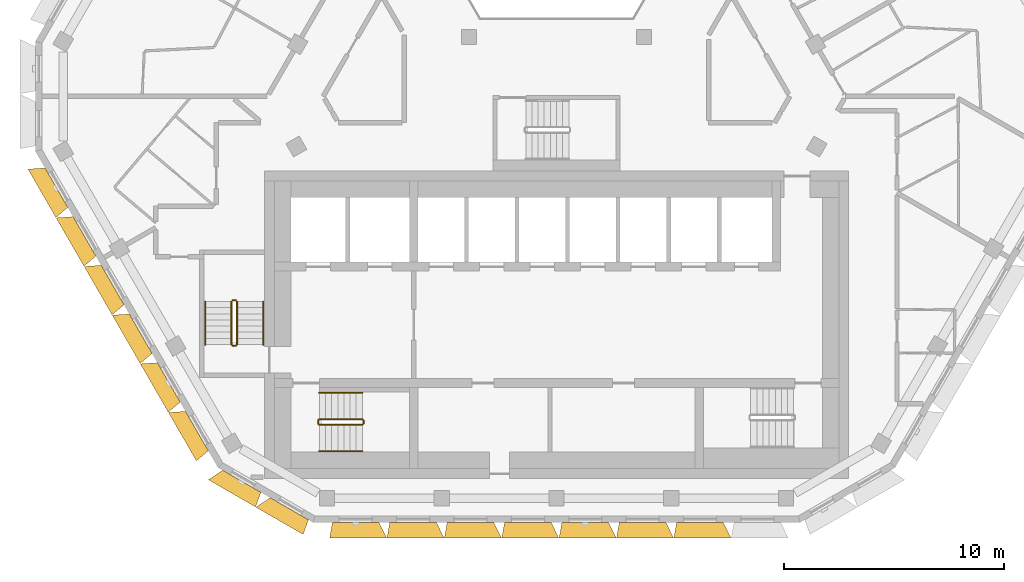
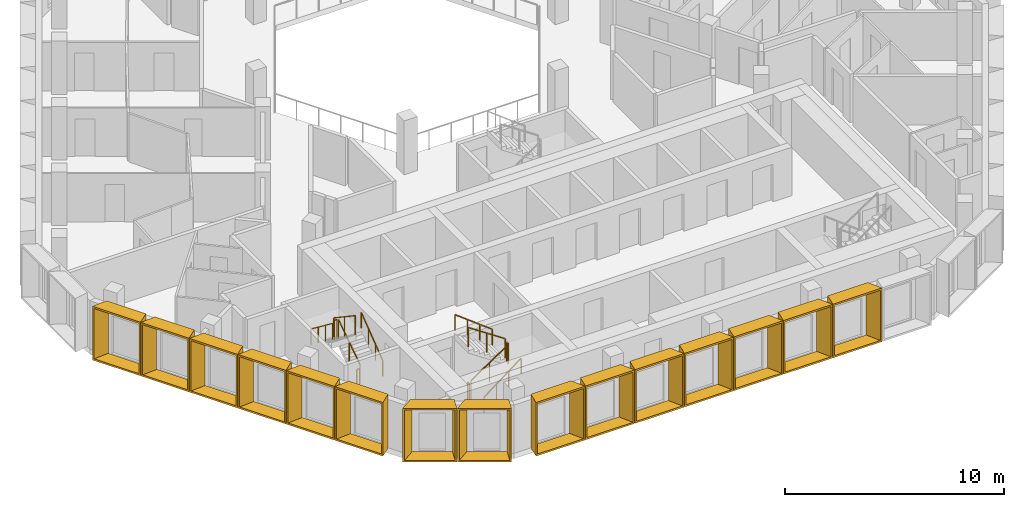
# One storey, part 12 of 16: 15 shading devices, 12 railings.
"""IFC4 building model written with IfcOpenShell, lengths in metres."""

from ifc_helpers import new_model, entity, si_unit, direction, frame, origin, origin_2d, place, context, subcontext, project, spatial, rectangle, extrude, source, transform, mapped, material, type_object, type_shapes, element, save


model = new_model("IFC4")

# Units and contexts
model_context = context("Model", 3, precision=1e-05, world=origin(), true_north=direction((0.0, 1.0)))
body_context = subcontext(model_context, "Body", "Model", "MODEL_VIEW")
ifc_project = project(units=[si_unit("LENGTHUNIT", "METRE"), si_unit("AREAUNIT", "SQUARE_METRE"), si_unit("VOLUMEUNIT", "CUBIC_METRE"), si_unit("PLANEANGLEUNIT", "RADIAN"), si_unit("MASSUNIT", "GRAM", prefix="KILO")], contexts=[model_context])

# Site, building, storey
site_placement = place(None, origin())
site = spatial("IfcSite", under=ifc_project, at=site_placement, CompositionType="ELEMENT")
building_placement = place(site_placement, origin())
building = spatial("IfcBuilding", under=site, at=building_placement, Name="Beryl Residences", CompositionType="ELEMENT")
storey_placement = place(building_placement, frame((0.0, 0.0, 238.800048828125)))
storey = spatial("IfcBuildingStorey", under=building, at=storey_placement, Name="L74", CompositionType="ELEMENT", Elevation=238.800048828125)

# Shading devices
ifc_material_1 = material(Name="Aluminium pale anodised", Category="aluminium")
shading_device_type_1 = type_object("IfcShadingDeviceType", Name="FR250-70B OUTER SKIN frame 700 mm deep, splay 26/10 deg, 2500 x 3000 mm cell", PredefinedType="USERDEFINED", material=ifc_material_1)
cartesian_point_1 = entity("IfcCartesianPoint", [-1.007568359375, 0.0])
cartesian_point_2 = entity("IfcCartesianPoint", [-0.91845703125, 0.10009765625])
cartesian_point_3 = entity("IfcCartesianPoint", [-1.348876953125, 0.0])
cartesian_point_4 = entity("IfcCartesianPoint", [-1.260009765625, 0.10009765625])
shared_shape_1 = source(origin(), body_context, "Body", "SweptSolid", [
    entity("IfcExtrudedAreaSolidTapered", entity("IfcArbitraryProfileDefWithVoids", "AREA", None, entity("IfcPolyline", [cartesian_point_1, entity("IfcCartesianPoint", [1.007568359375, 0.0]), entity("IfcCartesianPoint", [1.007568359375, 3.0]), entity("IfcCartesianPoint", [-1.007568359375, 3.0]), cartesian_point_1]), [entity("IfcPolyline", [cartesian_point_2, entity("IfcCartesianPoint", [0.92626953125, 0.10009765625]), entity("IfcCartesianPoint", [0.92626953125, 2.89990234375]), entity("IfcCartesianPoint", [-0.91845703125, 2.89990234375]), cartesian_point_2])]), entity("IfcAxis2Placement3D", entity("IfcCartesianPoint", [0.0, 0.0, 0.0]), entity("IfcDirection", [0.0, 1.0, 0.0]), entity("IfcDirection", [-1.0, 0.0, 0.0])), entity("IfcDirection", [0.0, 0.0, 1.0]), 0.699951171875, entity("IfcArbitraryProfileDefWithVoids", "AREA", None, entity("IfcPolyline", [cartesian_point_3, entity("IfcCartesianPoint", [1.130859375, 0.0]), entity("IfcCartesianPoint", [1.130859375, 3.0]), entity("IfcCartesianPoint", [-1.348876953125, 3.0]), cartesian_point_3]), [entity("IfcPolyline", [cartesian_point_4, entity("IfcCartesianPoint", [1.0498046875, 0.10009765625]), entity("IfcCartesianPoint", [1.0498046875, 2.89990234375]), entity("IfcCartesianPoint", [-1.260009765625, 2.89990234375]), cartesian_point_4])])),
])
type_shapes(shading_device_type_1, [shared_shape_1])
for number, where, z_axis, x_axis, name in (
    (1, (-14.33203125, -19.125, 0.0), (0.0, 0.0, 1.0), (-0.866025403784, 0.5, 0.0), "FR250-70B frame L74 SW-S 1"),
    (2, (-12.16796875, -20.375, 0.0), (0.0, 0.0, 1.0), (-0.866025403784, 0.5, 0.0), "FR250-70B frame L74 SW-S 2"),
):
    element("IfcShadingDevice", number, at=place(storey_placement, frame(where, z_axis=z_axis, x_axis=x_axis)), inside=storey, type_object=shading_device_type_1, Name=name, ObjectType="OUTER SKIN", PredefinedType="USERDEFINED", context=body_context, shape_type="MappedRepresentation", body=[
        mapped(shared_shape_1, transform((0.0, 0.0, 0.0))),
    ])
ifc_material_2 = material(Name="Aluminium pale anodised", Category="aluminium")
shading_device_type_2 = type_object("IfcShadingDeviceType", Name="FR256-70B OUTER SKIN frame 700 mm deep, splay 26/10 deg, 2560 x 3000 mm cell", PredefinedType="USERDEFINED", material=ifc_material_2)
cartesian_point_5 = entity("IfcCartesianPoint", [-1.03759765625, 0.0])
cartesian_point_6 = entity("IfcCartesianPoint", [-0.948486328125, 0.10009765625])
cartesian_point_7 = entity("IfcCartesianPoint", [-1.37890625, 0.0])
cartesian_point_8 = entity("IfcCartesianPoint", [-1.289794921875, 0.10009765625])
shared_shape_2 = source(origin(), body_context, "Body", "SweptSolid", [
    entity("IfcExtrudedAreaSolidTapered", entity("IfcArbitraryProfileDefWithVoids", "AREA", None, entity("IfcPolyline", [cartesian_point_5, entity("IfcCartesianPoint", [1.03759765625, 0.0]), entity("IfcCartesianPoint", [1.03759765625, 3.0]), entity("IfcCartesianPoint", [-1.03759765625, 3.0]), cartesian_point_5]), [entity("IfcPolyline", [cartesian_point_6, entity("IfcCartesianPoint", [0.956298828125, 0.10009765625]), entity("IfcCartesianPoint", [0.956298828125, 2.89990234375]), entity("IfcCartesianPoint", [-0.948486328125, 2.89990234375]), cartesian_point_6])]), entity("IfcAxis2Placement3D", entity("IfcCartesianPoint", [0.0, 0.0, 0.0]), entity("IfcDirection", [0.0, 1.0, 0.0]), entity("IfcDirection", [-1.0, 0.0, 0.0])), entity("IfcDirection", [0.0, 0.0, 1.0]), 0.699951171875, entity("IfcArbitraryProfileDefWithVoids", "AREA", None, entity("IfcPolyline", [cartesian_point_7, entity("IfcCartesianPoint", [1.160888671875, 0.0]), entity("IfcCartesianPoint", [1.160888671875, 3.0]), entity("IfcCartesianPoint", [-1.37890625, 3.0]), cartesian_point_7]), [entity("IfcPolyline", [cartesian_point_8, entity("IfcCartesianPoint", [1.07958984375, 0.10009765625]), entity("IfcCartesianPoint", [1.07958984375, 2.89990234375]), entity("IfcCartesianPoint", [-1.289794921875, 2.89990234375]), cartesian_point_8])])),
])
type_shapes(shading_device_type_2, [shared_shape_2])
for number, where, z_axis, x_axis, name in (
    (3, (-22.77099609375, -5.758056640625, 0.0), (0.0, 0.0, 1.0), (-0.5, 0.866025403784, 0.0), "FR256-70B frame L74 SW 1"),
    (4, (-21.491943359375, -7.97509765625, 0.0), (0.0, 0.0, 1.0), (-0.5, 0.866025403784, 0.0), "FR256-70B frame L74 SW 2"),
    (5, (-20.2119140625, -10.19091796875, 0.0), (0.0, 0.0, 1.0), (-0.5, 0.866025403784, 0.0), "FR256-70B frame L74 SW 3"),
    (6, (-18.931884765625, -12.407958984375, 0.0), (0.0, 0.0, 1.0), (-0.5, 0.866025403784, 0.0), "FR256-70B frame L74 SW 4"),
    (7, (-17.653076171875, -14.6240234375, 0.0), (0.0, 0.0, 1.0), (-0.5, 0.866025403784, 0.0), "FR256-70B frame L74 SW 5"),
    (8, (-16.373046875, -16.841064453125, 0.0), (0.0, 0.0, 1.0), (-0.5, 0.866025403784, 0.0), "FR256-70B frame L74 SW 6"),
):
    element("IfcShadingDevice", number, at=place(storey_placement, frame(where, z_axis=z_axis, x_axis=x_axis)), inside=storey, type_object=shading_device_type_2, Name=name, ObjectType="OUTER SKIN", PredefinedType="USERDEFINED", context=body_context, shape_type="MappedRepresentation", body=[
        mapped(shared_shape_2, transform((0.0, 0.0, 0.0))),
    ])
ifc_material_3 = material(Name="Aluminium pale anodised", Category="aluminium")
shading_device_type_3 = type_object("IfcShadingDeviceType", Name="FR261-70C OUTER SKIN frame 700 mm deep, splay 10/26 deg, 2610 x 3000 mm cell", PredefinedType="USERDEFINED", material=ifc_material_3)
cartesian_point_9 = entity("IfcCartesianPoint", [-1.0625, 0.0])
cartesian_point_10 = entity("IfcCartesianPoint", [-0.981201171875, 0.10009765625])
cartesian_point_11 = entity("IfcCartesianPoint", [-1.18603515625, 0.0])
cartesian_point_12 = entity("IfcCartesianPoint", [-1.104736328125, 0.10009765625])
shared_shape_3 = source(origin(), body_context, "Body", "SweptSolid", [
    entity("IfcExtrudedAreaSolidTapered", entity("IfcArbitraryProfileDefWithVoids", "AREA", None, entity("IfcPolyline", [cartesian_point_9, entity("IfcCartesianPoint", [1.0625, 0.0]), entity("IfcCartesianPoint", [1.0625, 3.0]), entity("IfcCartesianPoint", [-1.0625, 3.0]), cartesian_point_9]), [entity("IfcPolyline", [cartesian_point_10, entity("IfcCartesianPoint", [0.973388671875, 0.10009765625]), entity("IfcCartesianPoint", [0.973388671875, 2.89990234375]), entity("IfcCartesianPoint", [-0.981201171875, 2.89990234375]), cartesian_point_10])]), entity("IfcAxis2Placement3D", entity("IfcCartesianPoint", [0.0, 0.0, 0.0]), entity("IfcDirection", [0.0, 1.0, 0.0]), entity("IfcDirection", [-1.0, 0.0, 0.0])), entity("IfcDirection", [0.0, 0.0, 1.0]), 0.699951171875, entity("IfcArbitraryProfileDefWithVoids", "AREA", None, entity("IfcPolyline", [cartesian_point_11, entity("IfcCartesianPoint", [1.40380859375, 0.0]), entity("IfcCartesianPoint", [1.40380859375, 3.0]), entity("IfcCartesianPoint", [-1.18603515625, 3.0]), cartesian_point_11]), [entity("IfcPolyline", [cartesian_point_12, entity("IfcCartesianPoint", [1.31494140625, 0.10009765625]), entity("IfcCartesianPoint", [1.31494140625, 2.89990234375]), entity("IfcCartesianPoint", [-1.104736328125, 2.89990234375]), cartesian_point_12])])),
])
type_shapes(shading_device_type_3, [shared_shape_3])
for number, where, z_axis, x_axis, name in (
    (9, (-9.14404296875, -21.0, 0.0), (0.0, 0.0, 1.0), (-1.0, 0.0, 0.0), "FR261-70C frame L74 S 1"),
    (10, (-6.531005859375, -21.0, 0.0), (0.0, 0.0, 1.0), (-1.0, 0.0, 0.0), "FR261-70C frame L74 S 2"),
    (11, (-3.9189453125, -21.0, 0.0), (0.0, 0.0, 1.0), (-1.0, 0.0, 0.0), "FR261-70C frame L74 S 3"),
    (12, (-1.305908203125, -21.0, 0.0), (0.0, 0.0, 1.0), (-1.0, 0.0, 0.0), "FR261-70C frame L74 S 4"),
    (13, (1.305908203125, -21.0, 0.0), (0.0, 0.0, 1.0), (-1.0, 0.0, 0.0), "FR261-70C frame L74 S 5"),
    (14, (3.9189453125, -21.0, 0.0), (0.0, 0.0, 1.0), (-1.0, 0.0, 0.0), "FR261-70C frame L74 S 6"),
    (15, (6.531005859375, -21.0, 0.0), (0.0, 0.0, 1.0), (-1.0, 0.0, 0.0), "FR261-70C frame L74 S 7"),
):
    element("IfcShadingDevice", number, at=place(storey_placement, frame(where, z_axis=z_axis, x_axis=x_axis)), inside=storey, type_object=shading_device_type_3, Name=name, ObjectType="OUTER SKIN", PredefinedType="USERDEFINED", context=body_context, shape_type="MappedRepresentation", body=[
        mapped(shared_shape_3, transform((0.0, 0.0, 0.0))),
    ])

# Railings
ifc_material_4 = material(Name="Stainless steel balustrade with glass infill", Category="steel")
railing_type_1 = type_object("IfcRailingType", Name="SG1 stair guard 1100 mm", PredefinedType="GUARDRAIL", material=ifc_material_4)
railing_1_placement = place(storey_placement, frame((-10.800048828125, -16.550048828125, 0.1875)))
element("IfcRailing", 16, at=railing_1_placement, inside=storey, type_object=railing_type_1, Name="L74 ST-1 stair guard 1", PredefinedType="GUARDRAIL", context=body_context, shape_type="SweptSolid", body=[
    extrude(rectangle(XDim=0.048095703125, YDim=0.048095703125, at=origin_2d()), frame((0.0, 0.0, 1.076171875), z_axis=(0.830902050051, 0.0, 0.556418712142), x_axis=(0.0, 1.0, 0.0)), (0.0, 0.0, 1.0), 2.35888671875),
    extrude(rectangle(XDim=0.0419921875, YDim=0.0419921875, at=origin_2d()), origin(), (0.0, 0.0, 1.0), 1.052001953125),
    extrude(rectangle(XDim=0.0419921875, YDim=0.0419921875, at=origin_2d()), frame((0.97998046875, 0.0, 0.65625)), (0.0, 0.0, 1.0), 1.052001953125),
    extrude(rectangle(XDim=0.0419921875, YDim=0.0419921875, at=origin_2d()), frame((1.9599609375, 0.0, 1.3125)), (0.0, 0.0, 1.0), 1.052001953125),
])
railing_2_placement = place(storey_placement, frame((-8.7900390625, -16.5, 1.5)))
element("IfcRailing", 17, at=railing_2_placement, inside=storey, type_object=railing_type_1, Name="L74 ST-1 stair guard 2", PredefinedType="GUARDRAIL", context=body_context, shape_type="SweptSolid", body=[
    extrude(rectangle(XDim=0.048095703125, YDim=0.048095703125, at=origin_2d()), frame((0.0, 0.0, 1.076171875), z_axis=(0.0, 1.0, 0.0), x_axis=(-1.0, 0.0, 0.0)), (0.0, 0.0, 1.0), 0.14990234375),
    extrude(rectangle(XDim=0.0419921875, YDim=0.0419921875, at=origin_2d()), origin(), (0.0, 0.0, 1.0), 1.052001953125),
    extrude(rectangle(XDim=0.0419921875, YDim=0.0419921875, at=origin_2d()), frame((0.0, 0.14990234375, 0.0)), (0.0, 0.0, 1.0), 1.052001953125),
])
railing_3_placement = place(storey_placement, frame((-8.840087890625, -16.300048828125, 1.6875)))
element("IfcRailing", 18, at=railing_3_placement, inside=storey, type_object=railing_type_1, Name="L74 ST-1 stair guard 3", PredefinedType="GUARDRAIL", context=body_context, shape_type="SweptSolid", body=[
    extrude(rectangle(XDim=0.048095703125, YDim=0.048095703125, at=origin_2d()), frame((0.0, 0.0, 1.076171875), z_axis=(-0.830902050051, 0.0, 0.556418712142), x_axis=(0.0, -1.0, 0.0)), (0.0, 0.0, 1.0), 2.35888671875),
    extrude(rectangle(XDim=0.0419921875, YDim=0.0419921875, at=origin_2d()), origin(), (0.0, 0.0, 1.0), 1.052001953125),
    extrude(rectangle(XDim=0.0419921875, YDim=0.0419921875, at=origin_2d()), frame((-0.97998046875, 0.0, 0.65625)), (0.0, 0.0, 1.0), 1.052001953125),
    extrude(rectangle(XDim=0.0419921875, YDim=0.0419921875, at=origin_2d()), frame((-1.9599609375, 0.0, 1.3125)), (0.0, 0.0, 1.0), 1.052001953125),
])
railing_4_placement = place(storey_placement, frame((-10.85009765625, -16.5, 0.0)))
element("IfcRailing", 19, at=railing_4_placement, inside=storey, type_object=railing_type_1, Name="L74 ST-1 stair guard 4", PredefinedType="GUARDRAIL", context=body_context, shape_type="SweptSolid", body=[
    extrude(rectangle(XDim=0.048095703125, YDim=0.048095703125, at=origin_2d()), frame((0.0, 0.0, 1.076171875), z_axis=(0.0, 1.0, 0.0), x_axis=(-1.0, 0.0, 0.0)), (0.0, 0.0, 1.0), 0.14990234375),
    extrude(rectangle(XDim=0.0419921875, YDim=0.0419921875, at=origin_2d()), origin(), (0.0, 0.0, 1.0), 1.052001953125),
    extrude(rectangle(XDim=0.0419921875, YDim=0.0419921875, at=origin_2d()), frame((0.0, 0.14990234375, 0.0)), (0.0, 0.0, 1.0), 1.052001953125),
])
railing_5_placement = place(storey_placement, frame((-14.550048828125, -12.89990234375, 0.1875)))
element("IfcRailing", 20, at=railing_5_placement, inside=storey, type_object=railing_type_1, Name="L74 ST-2 stair guard 1", PredefinedType="GUARDRAIL", context=body_context, shape_type="SweptSolid", body=[
    extrude(rectangle(XDim=0.048095703125, YDim=0.048095703125, at=origin_2d()), frame((0.0, 0.0, 1.076171875), z_axis=(0.0, 0.830902050051, 0.556418712142), x_axis=(-1.0, 0.0, 0.0)), (0.0, 0.0, 1.0), 2.35888671875),
    extrude(rectangle(XDim=0.0419921875, YDim=0.0419921875, at=origin_2d()), origin(), (0.0, 0.0, 1.0), 1.052001953125),
    extrude(rectangle(XDim=0.0419921875, YDim=0.0419921875, at=origin_2d()), frame((0.0, 0.97998046875, 0.65625)), (0.0, 0.0, 1.0), 1.052001953125),
    extrude(rectangle(XDim=0.0419921875, YDim=0.0419921875, at=origin_2d()), frame((0.0, 1.9599609375, 1.3125)), (0.0, 0.0, 1.0), 1.052001953125),
])
railing_6_placement = place(storey_placement, frame((-14.60009765625, -10.889892578125, 1.5)))
element("IfcRailing", 21, at=railing_6_placement, inside=storey, type_object=railing_type_1, Name="L74 ST-2 stair guard 2", PredefinedType="GUARDRAIL", context=body_context, shape_type="SweptSolid", body=[
    extrude(rectangle(XDim=0.048095703125, YDim=0.048095703125, at=origin_2d()), frame((0.0, 0.0, 1.076171875), z_axis=(-1.0, 0.0, 0.0), x_axis=(0.0, -1.0, 0.0)), (0.0, 0.0, 1.0), 0.14990234375),
    extrude(rectangle(XDim=0.0419921875, YDim=0.0419921875, at=origin_2d()), origin(), (0.0, 0.0, 1.0), 1.052001953125),
    extrude(rectangle(XDim=0.0419921875, YDim=0.0419921875, at=origin_2d()), frame((-0.14990234375, 0.0, 0.0)), (0.0, 0.0, 1.0), 1.052001953125),
])
railing_7_placement = place(storey_placement, frame((-14.800048828125, -10.93994140625, 1.6875)))
element("IfcRailing", 22, at=railing_7_placement, inside=storey, type_object=railing_type_1, Name="L74 ST-2 stair guard 3", PredefinedType="GUARDRAIL", context=body_context, shape_type="SweptSolid", body=[
    extrude(rectangle(XDim=0.048095703125, YDim=0.048095703125, at=origin_2d()), frame((0.0, 0.0, 1.076171875), z_axis=(0.0, -0.830902050051, 0.556418712142), x_axis=(1.0, 0.0, 0.0)), (0.0, 0.0, 1.0), 2.35888671875),
    extrude(rectangle(XDim=0.0419921875, YDim=0.0419921875, at=origin_2d()), origin(), (0.0, 0.0, 1.0), 1.052001953125),
    extrude(rectangle(XDim=0.0419921875, YDim=0.0419921875, at=origin_2d()), frame((0.0, -0.97998046875, 0.65625)), (0.0, 0.0, 1.0), 1.052001953125),
    extrude(rectangle(XDim=0.0419921875, YDim=0.0419921875, at=origin_2d()), frame((0.0, -1.9599609375, 1.3125)), (0.0, 0.0, 1.0), 1.052001953125),
])
railing_8_placement = place(storey_placement, frame((-14.60009765625, -12.949951171875, 0.0)))
element("IfcRailing", 23, at=railing_8_placement, inside=storey, type_object=railing_type_1, Name="L74 ST-2 stair guard 4", PredefinedType="GUARDRAIL", context=body_context, shape_type="SweptSolid", body=[
    extrude(rectangle(XDim=0.048095703125, YDim=0.048095703125, at=origin_2d()), frame((0.0, 0.0, 1.076171875), z_axis=(-1.0, 0.0, 0.0), x_axis=(0.0, -1.0, 0.0)), (0.0, 0.0, 1.0), 0.14990234375),
    extrude(rectangle(XDim=0.0419921875, YDim=0.0419921875, at=origin_2d()), origin(), (0.0, 0.0, 1.0), 1.052001953125),
    extrude(rectangle(XDim=0.0419921875, YDim=0.0419921875, at=origin_2d()), frame((-0.14990234375, 0.0, 0.0)), (0.0, 0.0, 1.0), 1.052001953125),
])
ifc_material_5 = material(Name="Stainless steel handrail", Category="steel")
railing_type_2 = type_object("IfcRailingType", Name="SRL1 stair handrail 900 mm", PredefinedType="HANDRAIL", material=ifc_material_5)
railing_9_placement = place(storey_placement, frame((-10.800048828125, -17.75, 0.1875)))
element("IfcRailing", 24, at=railing_9_placement, inside=storey, type_object=railing_type_2, Name="L74 ST-1 stair handrail 1", PredefinedType="HANDRAIL", context=body_context, shape_type="SweptSolid", body=[
    extrude(rectangle(XDim=0.048095703125, YDim=0.048095703125, at=origin_2d()), frame((0.0, 0.0, 0.8759765625), z_axis=(0.794121922505, 0.0, 0.607758481798), x_axis=(0.0, 1.0, 0.0)), (0.0, 0.0, 1.0), 2.468017578125),
    extrude(rectangle(XDim=0.0419921875, YDim=0.0419921875, at=origin_2d()), origin(), (0.0, 0.0, 1.0), 0.851806640625),
    extrude(rectangle(XDim=0.0419921875, YDim=0.0419921875, at=origin_2d()), frame((0.6533203125, 0.0, 0.5)), (0.0, 0.0, 1.0), 0.851806640625),
    extrude(rectangle(XDim=0.0419921875, YDim=0.0419921875, at=origin_2d()), frame((1.306640625, 0.0, 1.0)), (0.0, 0.0, 1.0), 0.851806640625),
    extrude(rectangle(XDim=0.0419921875, YDim=0.0419921875, at=origin_2d()), frame((1.9599609375, 0.0, 1.5)), (0.0, 0.0, 1.0), 0.851806640625),
])
railing_10_placement = place(storey_placement, frame((-8.840087890625, -15.10009765625, 1.6875)))
element("IfcRailing", 25, at=railing_10_placement, inside=storey, type_object=railing_type_2, Name="L74 ST-1 stair handrail 2", PredefinedType="HANDRAIL", context=body_context, shape_type="SweptSolid", body=[
    extrude(rectangle(XDim=0.048095703125, YDim=0.048095703125, at=origin_2d()), frame((0.0, 0.0, 0.8759765625), z_axis=(-0.794121922505, 0.0, 0.607758481798), x_axis=(0.0, -1.0, 0.0)), (0.0, 0.0, 1.0), 2.468017578125),
    extrude(rectangle(XDim=0.0419921875, YDim=0.0419921875, at=origin_2d()), origin(), (0.0, 0.0, 1.0), 0.851806640625),
    extrude(rectangle(XDim=0.0419921875, YDim=0.0419921875, at=origin_2d()), frame((-0.6533203125, 0.0, 0.5)), (0.0, 0.0, 1.0), 0.851806640625),
    extrude(rectangle(XDim=0.0419921875, YDim=0.0419921875, at=origin_2d()), frame((-1.306640625, 0.0, 1.0)), (0.0, 0.0, 1.0), 0.851806640625),
    extrude(rectangle(XDim=0.0419921875, YDim=0.0419921875, at=origin_2d()), frame((-1.9599609375, 0.0, 1.5)), (0.0, 0.0, 1.0), 0.851806640625),
])
railing_11_placement = place(storey_placement, frame((-13.35009765625, -12.89990234375, 0.1875)))
element("IfcRailing", 26, at=railing_11_placement, inside=storey, type_object=railing_type_2, Name="L74 ST-2 stair handrail 1", PredefinedType="HANDRAIL", context=body_context, shape_type="SweptSolid", body=[
    extrude(rectangle(XDim=0.048095703125, YDim=0.048095703125, at=origin_2d()), frame((0.0, 0.0, 0.8759765625), z_axis=(0.0, 0.794121922505, 0.607758481798), x_axis=(-1.0, 0.0, 0.0)), (0.0, 0.0, 1.0), 2.468017578125),
    extrude(rectangle(XDim=0.0419921875, YDim=0.0419921875, at=origin_2d()), origin(), (0.0, 0.0, 1.0), 0.851806640625),
    extrude(rectangle(XDim=0.0419921875, YDim=0.0419921875, at=origin_2d()), frame((0.0, 0.6533203125, 0.5)), (0.0, 0.0, 1.0), 0.851806640625),
    extrude(rectangle(XDim=0.0419921875, YDim=0.0419921875, at=origin_2d()), frame((0.0, 1.306640625, 1.0)), (0.0, 0.0, 1.0), 0.851806640625),
    extrude(rectangle(XDim=0.0419921875, YDim=0.0419921875, at=origin_2d()), frame((0.0, 1.9599609375, 1.5)), (0.0, 0.0, 1.0), 0.851806640625),
])
railing_12_placement = place(storey_placement, frame((-16.0, -10.93994140625, 1.6875)))
element("IfcRailing", 27, at=railing_12_placement, inside=storey, type_object=railing_type_2, Name="L74 ST-2 stair handrail 2", PredefinedType="HANDRAIL", context=body_context, shape_type="SweptSolid", body=[
    extrude(rectangle(XDim=0.048095703125, YDim=0.048095703125, at=origin_2d()), frame((0.0, 0.0, 0.8759765625), z_axis=(0.0, -0.794121922505, 0.607758481798), x_axis=(1.0, 0.0, 0.0)), (0.0, 0.0, 1.0), 2.468017578125),
    extrude(rectangle(XDim=0.0419921875, YDim=0.0419921875, at=origin_2d()), origin(), (0.0, 0.0, 1.0), 0.851806640625),
    extrude(rectangle(XDim=0.0419921875, YDim=0.0419921875, at=origin_2d()), frame((0.0, -0.6533203125, 0.5)), (0.0, 0.0, 1.0), 0.851806640625),
    extrude(rectangle(XDim=0.0419921875, YDim=0.0419921875, at=origin_2d()), frame((0.0, -1.306640625, 1.0)), (0.0, 0.0, 1.0), 0.851806640625),
    extrude(rectangle(XDim=0.0419921875, YDim=0.0419921875, at=origin_2d()), frame((0.0, -1.9599609375, 1.5)), (0.0, 0.0, 1.0), 0.851806640625),
])

save(model, "model.ifc")
